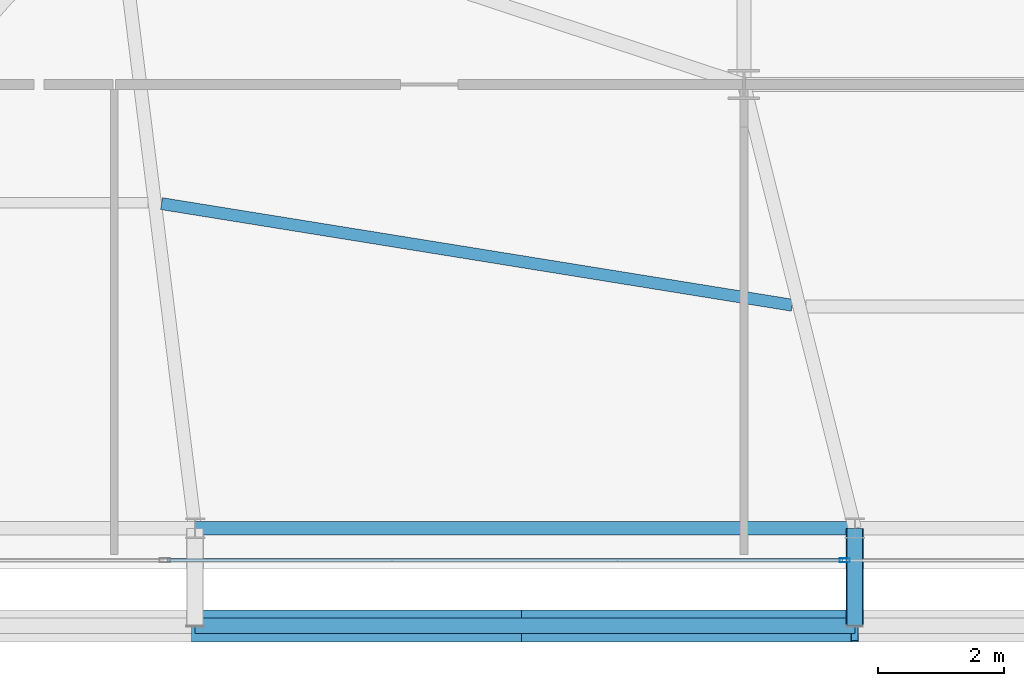
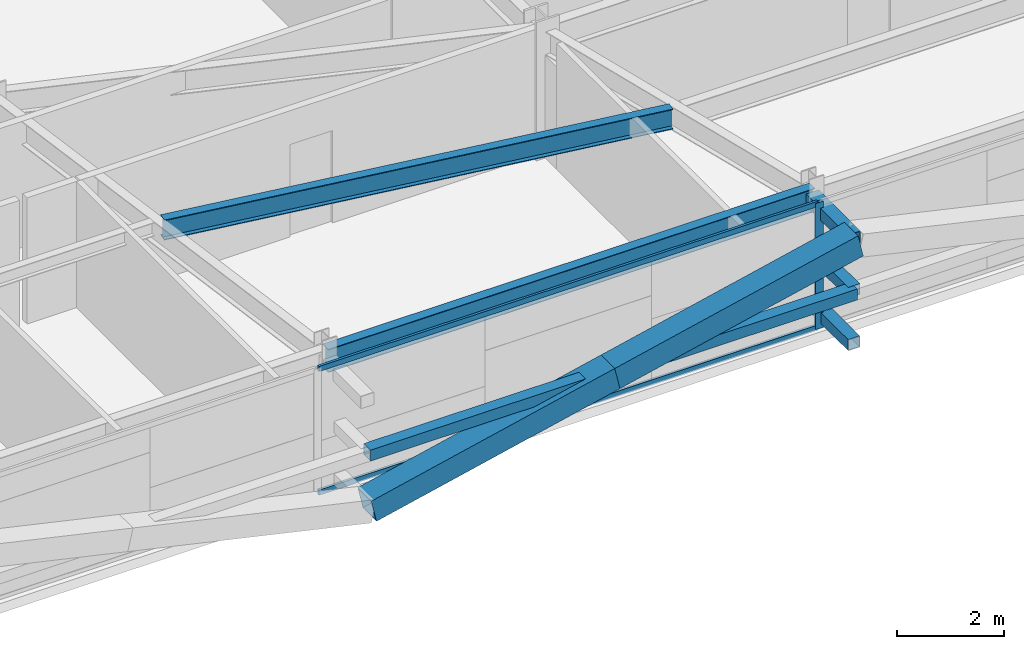
# One storey, part 9 of 45: 9 members, 2 beams, 1 element without a shape of its own.
"""IFC4 building model written with IfcOpenShell, lengths in metres."""

import ifcopenshell
import ifcopenshell.guid

model = None  # the IFC model being written
_history = None  # IfcOwnerHistory: only IFC2X3 demands one
_inside = {}  # id of a spatial element -> (the spatial element, [elements in it])
_under = {}  # id of a project, library or spatial element -> (it, [spatial elements below it])
_declared = {}  # id of a project -> (the project, [libraries it declares])
_typed = {}  # id of a type object -> (the type object, [elements of that type])
_made_of = {}  # id of a material, layer set ... -> (it, [elements and type objects made of it])


def new_model(schema):
    """Start an empty IFC model of exactly this schema.

    Asked for "IFC4X3", IfcOpenShell would pick the latest addendum, in which some entities
    have other attributes; the version numbers below select the first issue.
    IFC2X3 requires an IfcOwnerHistory on every rooted entity: one is made here for all.
    """
    global model, _history
    if schema == "IFC4X3":
        model = ifcopenshell.file(schema_version=(4, 3, 0, 0))
    else:
        model = ifcopenshell.file(schema=schema)
    _inside.clear()
    _under.clear()
    _declared.clear()
    _typed.clear()
    _made_of.clear()
    _history = None
    if model.schema == "IFC2X3":
        org = make("IfcOrganization", Name="unknown")
        user = make(
            "IfcPersonAndOrganization",
            ThePerson=make("IfcPerson", FamilyName="unknown"),
            TheOrganization=org,
        )
        app = make(
            "IfcApplication",
            ApplicationDeveloper=org,
            Version="unknown",
            ApplicationFullName="unknown",
            ApplicationIdentifier="unknown",
        )
        _history = make(
            "IfcOwnerHistory",
            OwningUser=user,
            OwningApplication=app,
            ChangeAction="ADDED",
            CreationDate=0,
        )
    return model


def make(cls, **values):
    """One entity of the class cls with the attributes given. An attribute that is None is left unset."""
    return model.create_entity(
        cls, **{name: value for name, value in values.items() if value is not None}
    )


def rooted(cls, **values):
    """An entity with a GlobalId (a new one), such as an element, a storey or a relation."""
    return make(cls, GlobalId=ifcopenshell.guid.new(), OwnerHistory=_history, **values)


def si_unit(unit_type, name, prefix=None):
    """IfcSIUnit, for example si_unit("LENGTHUNIT", "METRE", prefix="MILLI")."""
    return make("IfcSIUnit", UnitType=unit_type, Prefix=prefix, Name=name)


def assignment(units):
    """IfcUnitAssignment: the units of a project."""
    return None if units is None else make("IfcUnitAssignment", Units=units)


def point(xyz):
    """IfcCartesianPoint."""
    return None if xyz is None else make("IfcCartesianPoint", Coordinates=xyz)


def direction(xyz):
    """IfcDirection."""
    return None if xyz is None else make("IfcDirection", DirectionRatios=xyz)


def frame(location, z_axis=None, x_axis=None):
    """IfcAxis2Placement3D, a coordinate frame: its origin and axes. An axis left out is left unset."""
    return make(
        "IfcAxis2Placement3D",
        Location=point(location),
        Axis=direction(z_axis),
        RefDirection=direction(x_axis),
    )


def frame_2d(location, x_axis=None):
    """IfcAxis2Placement2D, a coordinate frame in the plane: its origin and x axis."""
    return make(
        "IfcAxis2Placement2D", Location=point(location), RefDirection=direction(x_axis)
    )


def origin():
    """The frame at (0, 0, 0) with its axes left unset."""
    return frame((0.0, 0.0, 0.0))


def origin_2d():
    """The frame at (0, 0) in the plane with its x axis left unset."""
    return frame_2d((0.0, 0.0))


def place(relative_to, where):
    """IfcLocalPlacement: puts the frame where relative to a parent placement (None: the world)."""
    return make(
        "IfcLocalPlacement", PlacementRelTo=relative_to, RelativePlacement=where
    )


def context(
    kind, dimensions, precision=None, world=None, true_north=None, identifier=None
):
    """IfcGeometricRepresentationContext, for example the 3D "Model" context."""
    return make(
        "IfcGeometricRepresentationContext",
        ContextIdentifier=identifier,
        ContextType=kind,
        CoordinateSpaceDimension=dimensions,
        Precision=precision,
        WorldCoordinateSystem=world,
        TrueNorth=true_north,
    )


def subcontext(parent, identifier, kind, view, scale=None):
    """IfcGeometricRepresentationSubContext, for example "Body" below "Model"."""
    return make(
        "IfcGeometricRepresentationSubContext",
        ContextIdentifier=identifier,
        ContextType=kind,
        ParentContext=parent,
        TargetScale=scale,
        TargetView=view,
    )


def project(units=None, contexts=None):
    """IfcProject with its units and contexts."""
    return rooted(
        "IfcProject",
        Name="project",
        RepresentationContexts=contexts,
        UnitsInContext=assignment(units),
    )


def spatial(cls, under=None, at=None, **own):
    """A site, building, storey or space (cls), placed at a placement, below another one or the project."""
    s = rooted(cls, ObjectPlacement=at, **own)
    if under is not None:
        _under.setdefault(under.id(), (under, []))[1].append(s)
    return s


def profile(cls, at=None, kind="AREA", **sizes):
    """A parametric profile (cls). Its sizes go by their IFC names, for example OverallWidth=200.0."""
    return make(cls, ProfileType=kind, Position=at, **sizes)


def hollow_rectangle(**sizes):
    """IfcRectangleHollowProfileDef."""
    return profile("IfcRectangleHollowProfileDef", **sizes)


def i_section(**sizes):
    """IfcIShapeProfileDef."""
    return profile("IfcIShapeProfileDef", **sizes)


def extrude(swept, where, along, depth):
    """IfcExtrudedAreaSolid: the profile swept, set in the frame where, extruded along a direction by depth."""
    return make(
        "IfcExtrudedAreaSolid",
        SweptArea=swept,
        Position=where,
        ExtrudedDirection=direction(along),
        Depth=depth,
    )


def shape(context_of_items, identifier, shape_type, items):
    """IfcShapeRepresentation: the items that make up one representation, for example the "Body"."""
    return make(
        "IfcShapeRepresentation",
        ContextOfItems=context_of_items,
        RepresentationIdentifier=identifier,
        RepresentationType=shape_type,
        Items=items,
    )


def source(mapping_origin, context_of_items, identifier, shape_type, items):
    """IfcRepresentationMap: a shape defined once, which mapped items show again and again."""
    return make(
        "IfcRepresentationMap",
        MappingOrigin=mapping_origin,
        MappedRepresentation=shape(context_of_items, identifier, shape_type, items),
    )


def transform(
    local_origin,
    x_axis=None,
    y_axis=None,
    z_axis=None,
    scale=None,
    scale2=None,
    scale3=None,
    uniform=True,
):
    """IfcCartesianTransformationOperator3D, or its non-uniform kind. x_axis, y_axis, z_axis: its Axis1, 2, 3."""
    if uniform:
        return make(
            "IfcCartesianTransformationOperator3D",
            Axis1=direction(x_axis),
            Axis2=direction(y_axis),
            LocalOrigin=point(local_origin),
            Scale=scale,
            Axis3=direction(z_axis),
        )
    return make(
        "IfcCartesianTransformationOperator3DnonUniform",
        Axis1=direction(x_axis),
        Axis2=direction(y_axis),
        LocalOrigin=point(local_origin),
        Scale=scale,
        Axis3=direction(z_axis),
        Scale2=scale2,
        Scale3=scale3,
    )


def mapped(mapping_source, mapping_target):
    """IfcMappedItem: shows the shape of a source again, moved by a transform."""
    return make(
        "IfcMappedItem", MappingSource=mapping_source, MappingTarget=mapping_target
    )


def material(Name=None, Category=None):
    """IfcMaterial."""
    return make("IfcMaterial", Name=Name, Category=Category)


def layer(
    of_material, thickness, ventilated=None, Name=None, Category=None, Priority=None
):
    """IfcMaterialLayer: one layer of a wall or slab, of a material (None: an air gap)."""
    return make(
        "IfcMaterialLayer",
        Material=of_material,
        LayerThickness=thickness,
        IsVentilated=ventilated,
        Name=Name,
        Category=Category,
        Priority=Priority,
    )


def layer_set(layers, Name=None):
    """IfcMaterialLayerSet."""
    return make("IfcMaterialLayerSet", MaterialLayers=layers, LayerSetName=Name)


def material_profile(
    of_material, cross_section, Name=None, Category=None, Priority=None
):
    """IfcMaterialProfile: a cross section and its material."""
    return make(
        "IfcMaterialProfile",
        Name=Name,
        Material=of_material,
        Profile=cross_section,
        Priority=Priority,
        Category=Category,
    )


def profile_set(profiles, Name=None, composite=None):
    """IfcMaterialProfileSet."""
    return make(
        "IfcMaterialProfileSet",
        Name=Name,
        MaterialProfiles=profiles,
        CompositeProfile=composite,
    )


def made_of(thing, what):
    """Note that an element or type object is made of a material, layer set ...; save() writes the relation."""
    if what is not None:
        _made_of.setdefault(what.id(), (what, []))[1].append(thing)
    return thing


def type_object(cls, material=None, **own):
    """A type object (cls), such as IfcWallType, which elements share."""
    return made_of(rooted(cls, **own), material)


def element(
    cls,
    number,
    at=None,
    inside=None,
    cuts=None,
    type_object=None,
    material=None,
    context=None,
    identifier="Body",
    shape_type=None,
    held_by="IfcProductDefinitionShape",
    body=None,
    shapes=None,
    **own,
):
    """One element of the class cls, such as IfcWall. Its Tag is "e" and its number.

    at: its placement. inside: the storey or other place that contains it. cuts: it is an
    opening in that element (IfcRelVoidsElement). A single representation is given by context,
    identifier, shape_type and body (its items); several are given by shapes. held_by: the class
    of the entity that holds the representations. save() writes the other relations.
    """
    e = rooted(cls, Tag="e%d" % number, ObjectPlacement=at, **own)
    if body is not None:
        shapes = [shape(context, identifier, shape_type, body)]
    if shapes is not None:
        e.Representation = make(held_by, Representations=shapes)
    if inside is not None:
        _inside.setdefault(inside.id(), (inside, []))[1].append(e)
    if cuts is not None:
        rooted(
            "IfcRelVoidsElement", RelatingBuildingElement=cuts, RelatedOpeningElement=e
        )
    if type_object is not None:
        _typed.setdefault(type_object.id(), (type_object, []))[1].append(e)
    return made_of(e, material)


def aggregate(whole, parts):
    """IfcRelAggregates: a whole, such as a stair, and the parts it consists of."""
    return rooted("IfcRelAggregates", RelatingObject=whole, RelatedObjects=parts)


def save(model, path):
    """Write the relations noted so far, then the file.

    IfcRelAggregates (storeys below a building ...), IfcRelContainedInSpatialStructure (elements
    in a storey), IfcRelDefinesByType, IfcRelAssociatesMaterial and IfcRelDeclares: one each for
    every whole, place, type object, material and project.
    """
    for whole, parts in _under.values():
        aggregate(whole, parts)
    for where, things in _inside.values():
        rooted(
            "IfcRelContainedInSpatialStructure",
            RelatedElements=things,
            RelatingStructure=where,
        )
    for kind, things in _typed.values():
        rooted("IfcRelDefinesByType", RelatedObjects=things, RelatingType=kind)
    for what, things in _made_of.values():
        rooted("IfcRelAssociatesMaterial", RelatedObjects=things, RelatingMaterial=what)
    for by, libraries in _declared.values():
        rooted("IfcRelDeclares", RelatingContext=by, RelatedDefinitions=libraries)
    model.write(path)


model = new_model("IFC4")

# Units and contexts
model_context = context("Model", 3, precision=1e-05, world=origin(), true_north=direction((0.0, 1.0)))
body_context = subcontext(model_context, "Body", "Model", "MODEL_VIEW")
ifc_project = project(units=[si_unit("LENGTHUNIT", "METRE"), si_unit("AREAUNIT", "SQUARE_METRE"), si_unit("VOLUMEUNIT", "CUBIC_METRE"), si_unit("PLANEANGLEUNIT", "RADIAN"), si_unit("MASSUNIT", "GRAM", prefix="KILO")], contexts=[model_context])

# Site, building, storey
site_placement = place(None, origin())
site = spatial("IfcSite", under=ifc_project, at=site_placement, CompositionType="ELEMENT")
building_placement = place(site_placement, origin())
building = spatial("IfcBuilding", under=site, at=building_placement, Name="Taldren Reach Tower", CompositionType="ELEMENT")
storey_placement = place(building_placement, frame((0.0, 0.0, 57.75)))
storey = spatial("IfcBuildingStorey", under=building, at=storey_placement, Name="L17", CompositionType="ELEMENT", Elevation=57.75)

# Beams
ifc_material_1 = material(Name="Steel Gr 350 (350PLUS)", Category="steel")
ifc_material_profile_1 = material_profile(ifc_material_1, i_section(OverallWidth=0.208984375, OverallDepth=0.528076171875, WebThickness=0.009521484375, FlangeThickness=0.01318359375, at=origin_2d()), Name="530UB82.0")
ifc_profile_set_1 = profile_set([ifc_material_profile_1], Name="Steel Gr 350 (350PLUS)")
beam_type_1 = type_object("IfcBeamType", Name="SP-UB530B", PredefinedType="SPANDREL", material=ifc_profile_set_1)
shared_shape_1 = source(origin(), body_context, "Body", "SweptSolid", [
    extrude(i_section(OverallWidth=0.208984375, OverallDepth=0.528076171875, WebThickness=0.009521484375, FlangeThickness=0.01318359375, at=origin_2d()), origin(), (0.0, 0.0, 1.0), 10.47998046875),
])
beam_1_placement = place(storey_placement, frame((19.280029296875, 2.14990234375, 2.60595703125), z_axis=(1.0, 0.0, 0.0), x_axis=(0.0, 1.0, 0.0)))
element("IfcBeam", 1, at=beam_1_placement, inside=storey, type_object=beam_type_1, Name="Perimeter spandrel B1 S2-S3 L17", PredefinedType="SPANDREL", context=body_context, shape_type="MappedRepresentation", body=[
    mapped(shared_shape_1, transform((0.0, 0.0, 0.0), scale=1.0)),
])
ifc_material_profile_2 = material_profile(ifc_material_1, i_section(OverallWidth=0.19091796875, OverallDepth=0.4599609375, WebThickness=0.010009765625, FlangeThickness=0.01611328125, at=origin_2d()), Name="460UB82.1")
ifc_profile_set_2 = profile_set([ifc_material_profile_2], Name="Steel Gr 350 (350PLUS)")
beam_type_2 = type_object("IfcBeamType", Name="BM-UB460A", PredefinedType="BEAM", material=ifc_profile_set_2)
shared_shape_2 = source(origin(), body_context, "Body", "SweptSolid", [
    extrude(i_section(OverallWidth=0.19091796875, OverallDepth=0.4599609375, WebThickness=0.010009765625, FlangeThickness=0.01611328125, at=origin_2d()), origin(), (0.0, 0.0, 1.0), 10.1494140625),
])
beam_2_placement = place(storey_placement, frame((18.74755859375, 7.3076171875, 2.639892578125), z_axis=(0.987266967452, -0.159072106224, 0.0), x_axis=(0.159072106224, 0.987266967452, 0.0)))
element("IfcBeam", 2, at=beam_2_placement, inside=storey, type_object=beam_type_2, Name="Secondary floor beam B1 J2 L17", PredefinedType="BEAM", context=body_context, shape_type="MappedRepresentation", body=[
    mapped(shared_shape_2, transform((0.0, 0.0, 0.0), scale=1.0)),
])

# Members
ifc_material_2 = material(Name="Steel Gr 450 (C450L0)", Category="steel")
ifc_material_profile_3 = material_profile(ifc_material_2, hollow_rectangle(XDim=0.27490234375, YDim=0.27490234375, WallThickness=0.00927734375, at=origin_2d()), Name="275x275x9.3SHS")
ifc_profile_set_3 = profile_set([ifc_material_profile_3], Name="Steel Gr 450 (C450L0)")
member_type_1 = type_object("IfcMemberType", Name="MB-TIE273", PredefinedType="STRUT", material=ifc_profile_set_3)
shared_shape_3 = source(origin(), body_context, "Body", "SweptSolid", [
    extrude(hollow_rectangle(XDim=0.27490234375, YDim=0.27490234375, WallThickness=0.00927734375, at=origin_2d()), origin(), (0.0, 0.0, 1.0), 1.5498046875),
])
member_1_placement = place(storey_placement, frame((29.760009765625, 2.14990234375, 2.590087890625), z_axis=(0.0, -1.0, 0.0), x_axis=(1.0, 0.0, 0.0)))
element("IfcMember", 3, at=member_1_placement, inside=storey, type_object=member_type_1, Name="Exoskeleton diaphragm tie strut B1-S3 L17", PredefinedType="STRUT", context=body_context, shape_type="MappedRepresentation", body=[
    mapped(shared_shape_3, transform((0.0, 0.0, 0.0), scale=1.0)),
])
ifc_material_3 = material(Name="Steel Gr 350 (C350L0)", Category="steel")
ifc_material_profile_4 = material_profile(ifc_material_3, hollow_rectangle(XDim=0.25, YDim=0.25, WallThickness=0.010009765625, at=origin_2d()), Name="250x250x10.0SHS")
ifc_profile_set_4 = profile_set([ifc_material_profile_4], Name="Steel Gr 350 (C350L0)")
member_type_2 = type_object("IfcMemberType", Name="MB-POST250", PredefinedType="POST", material=ifc_profile_set_4)
shared_shape_4 = source(origin(), body_context, "Body", "SweptSolid", [
    extrude(hollow_rectangle(XDim=0.25, YDim=0.25, WallThickness=0.010009765625, at=origin_2d()), origin(), (0.0, 0.0, 1.0), 10.47998046875),
])
member_2_placement = place(storey_placement, frame((19.280029296875, 0.60009765625, 1.405029296875), z_axis=(1.0, 0.0, 0.0), x_axis=(0.0, 1.0, 0.0)))
element("IfcMember", 4, at=member_2_placement, inside=storey, type_object=member_type_2, Name="Exoskeleton mid-height ring chord B1-S2 L17", PredefinedType="POST", context=body_context, shape_type="MappedRepresentation", body=[
    mapped(shared_shape_4, transform((0.0, 0.0, 0.0), scale=1.0)),
])
shared_shape_5 = source(origin(), body_context, "Body", "SweptSolid", [
    extrude(hollow_rectangle(XDim=0.25, YDim=0.25, WallThickness=0.010009765625, at=origin_2d()), origin(), (0.0, 0.0, 1.0), 1.5498046875),
])
for number, where, z_axis, x_axis, name in (
    (5, (29.760009765625, 2.14990234375, 0.219970703125), (0.0, -1.0, 0.0), (1.0, 0.0, 0.0), "Exoskeleton base diaphragm tie strut B1-S3 L17"),
    (6, (29.760009765625, 2.14990234375, 1.405029296875), (0.0, -1.0, 0.0), (1.0, 0.0, 0.0), "Exoskeleton mid-tier diaphragm tie B1-S3 L17"),
):
    element("IfcMember", number, at=place(storey_placement, frame(where, z_axis=z_axis, x_axis=x_axis)), inside=storey, type_object=member_type_2, Name=name, PredefinedType="POST", context=body_context, shape_type="MappedRepresentation", body=[
        mapped(shared_shape_5, transform((0.0, 0.0, 0.0), scale=1.0)),
    ])
ifc_material_profile_5 = material_profile(ifc_material_2, hollow_rectangle(XDim=0.510009765625, YDim=0.510009765625, WallThickness=0.02001953125, at=origin_2d()), Name="510x510x20.0SHS")
ifc_profile_set_5 = profile_set([ifc_material_profile_5], Name="Steel Gr 450 (C450L0)")
member_type_3 = type_object("IfcMemberType", Name="MB-EXO508", PredefinedType="BRACE", material=ifc_profile_set_5)
shared_shape_6 = source(origin(), body_context, "Body", "SweptSolid", [
    extrude(hollow_rectangle(XDim=0.510009765625, YDim=0.510009765625, WallThickness=0.02001953125, at=origin_2d()), origin(), (0.0, 0.0, 1.0), 5.372314453125),
])
for number, where, z_axis, x_axis, name in (
    (7, (19.280029296875, 0.60009765625, 0.219970703125), (0.975367562392, 0.0, 0.220585852297), (0.0, 1.0, 0.0), "Exoskeleton Diagrid Brace B1-S2 L17"),
    (8, (24.52001953125, 0.60009765625, 1.405029296875), (0.975367562392, 0.0, 0.220585852297), (0.0, 1.0, 0.0), "Exoskeleton Diagrid Brace B1-S2 L17"),
):
    element("IfcMember", number, at=place(storey_placement, frame(where, z_axis=z_axis, x_axis=x_axis)), inside=storey, type_object=member_type_3, Name=name, PredefinedType="BRACE", context=body_context, shape_type="MappedRepresentation", body=[
        mapped(shared_shape_6, transform((0.0, 0.0, 0.0), scale=1.0)),
    ])

# Curtain wall, members
ifc_material_4 = material(Name="Aluminium and Low-E Glass Unitised System", Category="aluminium")
ifc_layer = layer(ifc_material_4, 0.159912109375)
ifc_layer_set = layer_set([ifc_layer], Name="Aluminium and Low-E Glass Unitised System")
curtain_wall_type = type_object("IfcCurtainWallType", Name="CW-SYS-2", PredefinedType="NOTDEFINED", material=ifc_layer_set)
curtain_wall_placement = place(storey_placement, origin())
curtain_wall = element("IfcCurtainWall", 9, at=curtain_wall_placement, inside=storey, type_object=curtain_wall_type, Name="Unitised curtain wall CW-L17-S", PredefinedType="NOTDEFINED")
ifc_material_5 = material(Name="Anodised Aluminium 6063-T6", Category="aluminium")
ifc_material_profile_6 = material_profile(ifc_material_5, hollow_rectangle(XDim=0.054931640625, YDim=0.1201171875, WallThickness=0.0029296875, at=origin_2d()), Name="ALU-120x55x3RHS")
ifc_profile_set_6 = profile_set([ifc_material_profile_6], Name="Anodised Aluminium 6063-T6")
member_type_4 = type_object("IfcMemberType", Name="CW-TRN-135", PredefinedType="USERDEFINED", material=ifc_profile_set_6)
shared_shape_7 = source(origin(), body_context, "Body", "SweptSolid", [
    extrude(hollow_rectangle(XDim=0.054931640625, YDim=0.1201171875, WallThickness=0.0029296875, at=origin_2d()), origin(), (0.0, 0.0, 1.0), 10.73486328125),
])
member_3_placement = place(storey_placement, frame((18.83251953125, 1.639892578125, 0.027587890625), z_axis=(1.0, 0.0, 0.0), x_axis=(0.0, 1.0, 0.0)))
member_3 = element("IfcMember", 10, at=member_3_placement, type_object=member_type_4, Name="CW-2 transom 2.1", ObjectType="TRANSOM", PredefinedType="USERDEFINED", context=body_context, shape_type="MappedRepresentation", body=[
    mapped(shared_shape_7, transform((0.0, 0.0, 0.0), scale=1.0)),
])
member_4_placement = place(storey_placement, frame((18.83251953125, 1.639892578125, 2.842529296875), z_axis=(1.0, 0.0, 0.0), x_axis=(0.0, 1.0, 0.0)))
member_4 = element("IfcMember", 11, at=member_4_placement, type_object=member_type_4, Name="CW-2 transom 2.2", ObjectType="TRANSOM", PredefinedType="USERDEFINED", context=body_context, shape_type="MappedRepresentation", body=[
    mapped(shared_shape_7, transform((0.0, 0.0, 0.0), scale=1.0)),
])
ifc_material_profile_7 = material_profile(ifc_material_5, hollow_rectangle(XDim=0.06494140625, YDim=0.1650390625, WallThickness=0.00390625, at=origin_2d()), Name="ALU-165x65x4RHS")
ifc_profile_set_7 = profile_set([ifc_material_profile_7], Name="Anodised Aluminium 6063-T6")
member_type_5 = type_object("IfcMemberType", Name="CW-MUL-165", PredefinedType="MULLION", material=ifc_profile_set_7)
shared_shape_8 = source(origin(), body_context, "Body", "SweptSolid", [
    extrude(hollow_rectangle(XDim=0.06494140625, YDim=0.1650390625, WallThickness=0.00390625, at=origin_2d()), origin(), (0.0, 0.0, 1.0), 2.8701171875),
])
member_5_placement = place(storey_placement, frame((29.60009765625, 1.639892578125, 0.0), z_axis=(0.0, 0.0, 1.0), x_axis=(0.0, 1.0, 0.0)))
member_5 = element("IfcMember", 12, at=member_5_placement, type_object=member_type_5, Name="CW-2 mullion 3", PredefinedType="MULLION", context=body_context, shape_type="MappedRepresentation", body=[
    mapped(shared_shape_8, transform((0.0, 0.0, 0.0), scale=1.0)),
])
aggregate(curtain_wall, [member_5, member_3, member_4])

save(model, "model.ifc")
